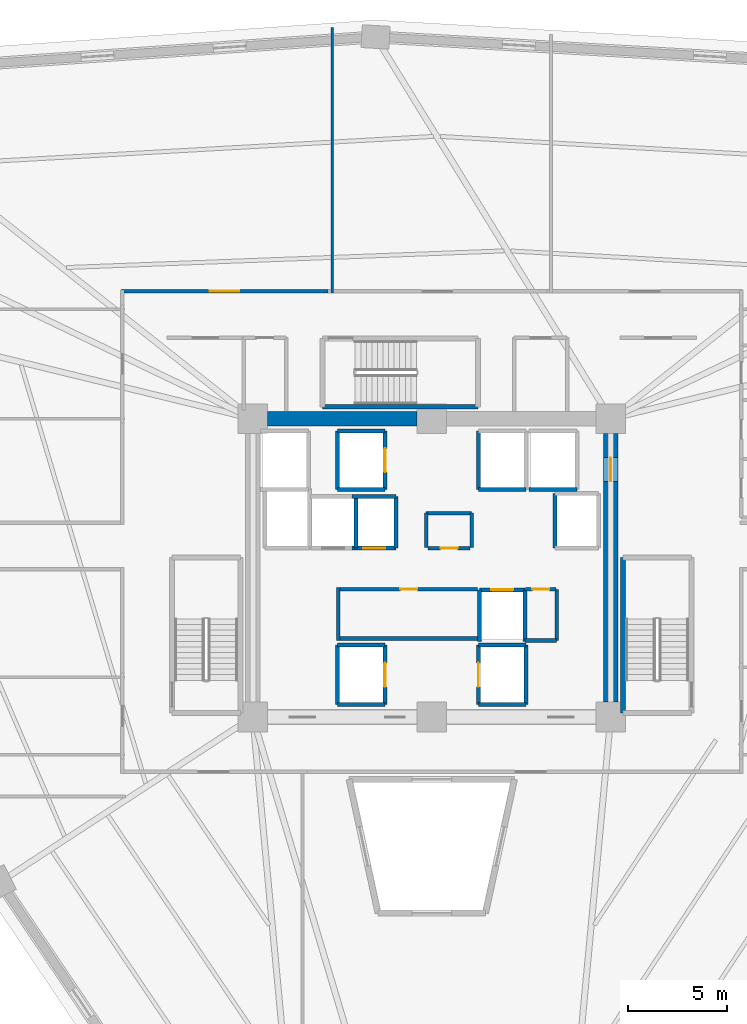
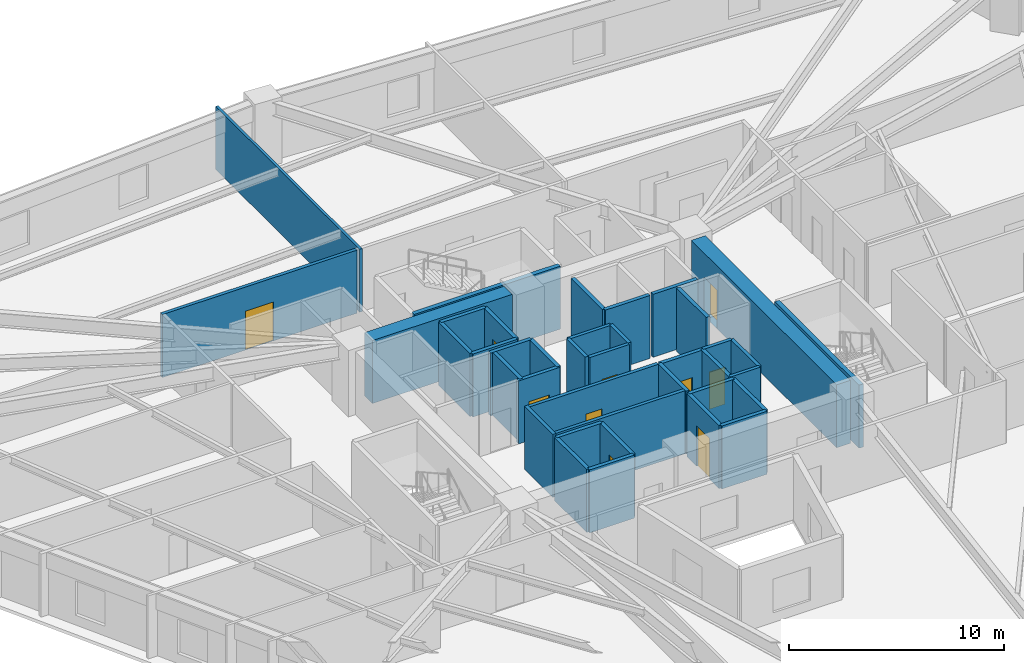
# One storey, part 5 of 8: 39 walls, 10 doors, 10 openings.
"""IFC4 building model written with IfcOpenShell, lengths in metres."""

from ifc_helpers import new_model, si_unit, direction, frame, frame_2d, origin, place, context, subcontext, project, spatial, rectangle, extrude, source, transform, mapped, material, layer, layer_set, type_object, element, fill, save


model = new_model("IFC4")

# Units and contexts
model_context = context("Model", 3, precision=1e-05, world=origin(), true_north=direction((0.0, 1.0)))
body_context = subcontext(model_context, "Body", "Model", "MODEL_VIEW")
ifc_project = project(units=[si_unit("LENGTHUNIT", "METRE"), si_unit("AREAUNIT", "SQUARE_METRE"), si_unit("VOLUMEUNIT", "CUBIC_METRE"), si_unit("PLANEANGLEUNIT", "RADIAN"), si_unit("MASSUNIT", "GRAM", prefix="KILO")], contexts=[model_context])

# Site, building, storey
site_placement = place(None, origin())
site = spatial("IfcSite", under=ifc_project, at=site_placement, CompositionType="ELEMENT")
building_placement = place(site_placement, origin())
building = spatial("IfcBuilding", under=site, at=building_placement, Name="Liaohun Quay Tower", CompositionType="ELEMENT")
storey_placement = place(building_placement, frame((0.0, 0.0, 105.75)))
storey = spatial("IfcBuildingStorey", under=building, at=storey_placement, Name="L27", CompositionType="ELEMENT", Elevation=105.75)

# Wall
ifc_material_1 = material(Name="Concrete C60", Category="concrete")
ifc_layer_1 = layer(ifc_material_1, 0.75, Name="Concrete C60", Category="concrete")
ifc_layer_set_1 = layer_set([ifc_layer_1], Name="Concrete C60")
wall_type_1 = type_object("IfcWallType", Name="WAL-COR-Z2", PredefinedType="SHEAR", material=ifc_layer_set_1)
wall_1_placement = place(storey_placement, frame((51.75, 61.5, 0.0), z_axis=(0.0, 0.0, 1.0), x_axis=(1.0, 0.0, 0.0)))
element("IfcWall", 1, at=wall_1_placement, inside=storey, type_object=wall_type_1, Name="L27 Central Core Shear Wall N-W", PredefinedType="SHEAR", context=body_context, shape_type="SweptSolid", body=[
    extrude(rectangle(XDim=7.5, YDim=0.75, at=frame_2d((3.75, 0.0))), origin(), (0.0, 0.0, 1.0), 3.570068359375),
])

# Wall, opening, door
wall_2_placement = place(storey_placement, frame((69.0, 60.75, 0.0), z_axis=(0.0, 0.0, 1.0), x_axis=(0.0, -1.0, 0.0)))
wall_2 = element("IfcWall", 2, at=wall_2_placement, inside=storey, type_object=wall_type_1, Name="L27 Central Core Shear Wall E", PredefinedType="SHEAR", context=body_context, shape_type="SweptSolid", body=[
    extrude(rectangle(XDim=13.5, YDim=0.75, at=frame_2d((6.75, 0.0))), origin(), (0.0, 0.0, 1.0), 3.570068359375),
])
shared_shape_1 = source(origin(), body_context, "Body", "SweptSolid", [
    extrude(rectangle(XDim=1.199951171875, YDim=2.199951171875, at=frame_2d((0.60009765625, 1.10009765625))), frame((0.0, 0.385009765625, 0.0), z_axis=(0.0, -1.0, 0.0), x_axis=(1.0, 0.0, 0.0)), (0.0, 0.0, 1.0), 0.77001953125),
])
opening_1_placement = place(wall_2_placement, frame((1.199951171875, 0.0, 0.0)))
opening_1 = element("IfcOpeningElement", 3, at=opening_1_placement, cuts=wall_2, Name="Opening SD1", PredefinedType="OPENING", context=body_context, shape_type="MappedRepresentation", body=[
    mapped(shared_shape_1, transform((0.0, 0.0, 0.0), x_axis=(1.0, 0.0, 0.0), y_axis=(0.0, 1.0, 0.0), z_axis=(0.0, 0.0, 1.0), scale=1.0)),
])
ifc_material_2 = material(Name="Galvanised steel fire door", Category="steel")
door_type_1 = type_object("IfcDoorType", Name="DOR-STR-1200", OperationType="NOTDEFINED", PredefinedType="DOOR", material=ifc_material_2)
shared_shape_2 = source(origin(), body_context, "Body", "SweptSolid", [
    extrude(rectangle(XDim=1.199951171875, YDim=2.199951171875, at=frame_2d((0.60009765625, 1.10009765625))), frame((0.0, 0.02490234375, 0.0), z_axis=(0.0, -1.0, 0.0), x_axis=(1.0, 0.0, 0.0)), (0.0, 0.0, 1.0), 0.050048828125),
])
door_1_placement = place(opening_1_placement, origin())
door_1 = element("IfcDoor", 4, at=door_1_placement, inside=storey, type_object=door_type_1, Name="L27 North-East Core Lobby Smokeproof Door", OperationType="SINGLE_SWING_LEFT", OverallHeight=2.199951171875, OverallWidth=1.199951171875, PredefinedType="DOOR", context=body_context, shape_type="MappedRepresentation", body=[
    mapped(shared_shape_2, transform((0.0, 0.0, 0.0), x_axis=(1.0, 0.0, 0.0), y_axis=(0.0, 1.0, 0.0), z_axis=(0.0, 0.0, 1.0), scale=1.0)),
])
fill(opening_1, door_1)

ifc_material_3 = material(Name="Autoclaved aerated concrete blockwork", Category="masonry")
ifc_layer_2 = layer(ifc_material_3, 0.179931640625, Name="Autoclaved aerated concrete blockwork", Category="masonry")
ifc_layer_set_2 = layer_set([ifc_layer_2], Name="Autoclaved aerated concrete blockwork")
wall_type_2 = type_object("IfcWallType", Name="WAL-PRT-COR", PredefinedType="PARTITIONING", material=ifc_layer_set_2)
wall_3_placement = place(storey_placement, frame((55.389892578125, 52.919921875, 0.0), z_axis=(0.0, 0.0, 1.0), x_axis=(1.0, 0.0, 0.0)))
wall_3 = element("IfcWall", 5, at=wall_3_placement, inside=storey, type_object=wall_type_2, Name="L27 Interior Partition Wall 001", PredefinedType="PARTITIONING", context=body_context, shape_type="SweptSolid", body=[
    extrude(rectangle(XDim=6.91015625, YDim=0.179931640625, at=frame_2d((3.455078125, 0.0))), origin(), (0.0, 0.0, 1.0), 3.570068359375),
])
shared_shape_3 = source(origin(), body_context, "Body", "SweptSolid", [
    extrude(rectangle(XDim=0.85009765625, YDim=2.10009765625, at=frame_2d((0.425048828125, 1.050048828125))), frame((0.0, 0.099853515625, 0.0), z_axis=(0.0, -1.0, 0.0), x_axis=(1.0, 0.0, 0.0)), (0.0, 0.0, 1.0), 0.199951171875),
])
opening_2_placement = place(wall_3_placement, frame((3.034912109375, 0.0, 0.0)))
opening_2 = element("IfcOpeningElement", 6, at=opening_2_placement, cuts=wall_3, Name="Opening AD1", PredefinedType="OPENING", context=body_context, shape_type="MappedRepresentation", body=[
    mapped(shared_shape_3, transform((0.0, 0.0, 0.0), x_axis=(1.0, 0.0, 0.0), y_axis=(0.0, 1.0, 0.0), z_axis=(0.0, 0.0, 1.0), scale=1.0)),
])
ifc_material_4 = material(Name="Steel riser inspection fire door", Category="steel")
door_type_2 = type_object("IfcDoorType", Name="DOR-SHF-850", OperationType="NOTDEFINED", PredefinedType="DOOR", material=ifc_material_4)
shared_shape_4 = source(origin(), body_context, "Body", "SweptSolid", [
    extrude(rectangle(XDim=0.85009765625, YDim=2.10009765625, at=frame_2d((0.425048828125, 1.050048828125))), frame((0.0, 0.02490234375, 0.0), z_axis=(0.0, -1.0, 0.0), x_axis=(1.0, 0.0, 0.0)), (0.0, 0.0, 1.0), 0.050048828125),
])
door_2_placement = place(opening_2_placement, origin())
door_2 = element("IfcDoor", 7, at=door_2_placement, inside=storey, type_object=door_type_2, Name="L27 Core Tenant Storage and Archive Room Door", OperationType="SINGLE_SWING_RIGHT", OverallHeight=2.10009765625, OverallWidth=0.85009765625, PredefinedType="DOOR", context=body_context, shape_type="MappedRepresentation", body=[
    mapped(shared_shape_4, transform((0.0, 0.0, 0.0), x_axis=(1.0, 0.0, 0.0), y_axis=(0.0, 1.0, 0.0), z_axis=(0.0, 0.0, 1.0), scale=1.0)),
])
fill(opening_2, door_2)

wall_4_placement = place(storey_placement, frame((59.81005859375, 54.97998046875, 0.0), z_axis=(0.0, 0.0, 1.0), x_axis=(1.0, 0.0, 0.0)))
wall_4 = element("IfcWall", 8, at=wall_4_placement, inside=storey, type_object=wall_type_2, Name="L27 Interior Partition Wall 002", PredefinedType="PARTITIONING", context=body_context, shape_type="SweptSolid", body=[
    extrude(rectangle(XDim=2.10986328125, YDim=0.179931640625, at=frame_2d((1.054931640625, 0.0))), origin(), (0.0, 0.0, 1.0), 3.570068359375),
])
opening_3_placement = place(wall_4_placement, frame((0.635009765625, 0.0, 0.0)))
opening_3 = element("IfcOpeningElement", 9, at=opening_3_placement, cuts=wall_4, Name="Opening AD1", PredefinedType="OPENING", context=body_context, shape_type="MappedRepresentation", body=[
    mapped(shared_shape_3, transform((0.0, 0.0, 0.0), x_axis=(1.0, 0.0, 0.0), y_axis=(0.0, 1.0, 0.0), z_axis=(0.0, 0.0, 1.0), scale=1.0)),
])
door_3_placement = place(opening_3_placement, origin())
door_3 = element("IfcDoor", 10, at=door_3_placement, inside=storey, type_object=door_type_2, Name="L27 Electrical Meter Room Door", OperationType="SINGLE_SWING_LEFT", OverallHeight=2.10009765625, OverallWidth=0.85009765625, PredefinedType="DOOR", context=body_context, shape_type="MappedRepresentation", body=[
    mapped(shared_shape_4, transform((0.0, 0.0, 0.0), x_axis=(1.0, 0.0, 0.0), y_axis=(0.0, 1.0, 0.0), z_axis=(0.0, 0.0, 1.0), scale=1.0)),
])
fill(opening_3, door_3)

wall_5_placement = place(storey_placement, frame((64.719970703125, 52.919921875, 0.0), z_axis=(0.0, 0.0, 1.0), x_axis=(1.0, 0.0, 0.0)))
wall_5 = element("IfcWall", 11, at=wall_5_placement, inside=storey, type_object=wall_type_2, Name="L27 Interior Partition Wall 003", PredefinedType="PARTITIONING", context=body_context, shape_type="SweptSolid", body=[
    extrude(rectangle(XDim=1.530029296875, YDim=0.179931640625, at=frame_2d((0.76513671875, 0.0))), origin(), (0.0, 0.0, 1.0), 3.570068359375),
])
opening_4_placement = place(wall_5_placement, frame((0.340087890625, 0.0, 0.0)))
opening_4 = element("IfcOpeningElement", 12, at=opening_4_placement, cuts=wall_5, Name="Opening AD1", PredefinedType="OPENING", context=body_context, shape_type="MappedRepresentation", body=[
    mapped(shared_shape_3, transform((0.0, 0.0, 0.0), x_axis=(1.0, 0.0, 0.0), y_axis=(0.0, 1.0, 0.0), z_axis=(0.0, 0.0, 1.0), scale=1.0)),
])
door_4_placement = place(opening_4_placement, origin())
door_4 = element("IfcDoor", 13, at=door_4_placement, inside=storey, type_object=door_type_2, Name="L27 BMS Data Riser Room Door", OperationType="SINGLE_SWING_RIGHT", OverallHeight=2.10009765625, OverallWidth=0.85009765625, PredefinedType="DOOR", context=body_context, shape_type="MappedRepresentation", body=[
    mapped(shared_shape_4, transform((0.0, 0.0, 0.0), x_axis=(1.0, 0.0, 0.0), y_axis=(0.0, 1.0, 0.0), z_axis=(0.0, 0.0, 1.0), scale=1.0)),
])
fill(opening_4, door_4)

wall_6_placement = place(storey_placement, frame((44.3701171875, 67.909912109375, 0.0), z_axis=(0.0, 0.0, 1.0), x_axis=(1.0, 0.0, 0.0)))
wall_6 = element("IfcWall", 14, at=wall_6_placement, inside=storey, type_object=wall_type_2, Name="L27 Interior Partition Wall 014", PredefinedType="PARTITIONING", context=body_context, shape_type="SweptSolid", body=[
    extrude(rectangle(XDim=10.414794921875, YDim=0.179931640625, at=frame_2d((5.20751953125, 0.0))), origin(), (0.0, 0.0, 1.0), 3.570068359375),
])
shared_shape_5 = source(origin(), body_context, "Body", "SweptSolid", [
    extrude(rectangle(XDim=1.5, YDim=2.199951171875, at=frame_2d((0.75, 1.10009765625))), frame((0.0, 0.099853515625, 0.0), z_axis=(0.0, -1.0, 0.0), x_axis=(1.0, 0.0, 0.0)), (0.0, 0.0, 1.0), 0.199951171875),
])
opening_5_placement = place(wall_6_placement, frame((4.45703125, 0.0, 0.0)))
opening_5 = element("IfcOpeningElement", 15, at=opening_5_placement, cuts=wall_6, Name="Opening OD2", PredefinedType="OPENING", context=body_context, shape_type="MappedRepresentation", body=[
    mapped(shared_shape_5, transform((0.0, 0.0, 0.0), x_axis=(1.0, 0.0, 0.0), y_axis=(0.0, 1.0, 0.0), z_axis=(0.0, 0.0, 1.0), scale=1.0)),
])
ifc_material_5 = material(Name="Acoustic oak veneer double door")
door_type_3 = type_object("IfcDoorType", Name="DOR-OFF-1500", OperationType="DOUBLE_DOOR_SINGLE_SWING", PredefinedType="DOOR", material=ifc_material_5)
shared_shape_6 = source(origin(), body_context, "Body", "SweptSolid", [
    extrude(rectangle(XDim=1.5, YDim=2.199951171875, at=frame_2d((0.75, 1.10009765625))), frame((0.0, 0.02490234375, 0.0), z_axis=(0.0, -1.0, 0.0), x_axis=(1.0, 0.0, 0.0)), (0.0, 0.0, 1.0), 0.050048828125),
])
door_5_placement = place(opening_5_placement, origin())
door_5 = element("IfcDoor", 16, at=door_5_placement, inside=storey, type_object=door_type_3, Name="L27 Project Collaboration Studio 04 Door", OperationType="DOUBLE_DOOR_SINGLE_SWING", OverallHeight=2.199951171875, OverallWidth=1.5, PredefinedType="DOOR", context=body_context, shape_type="MappedRepresentation", body=[
    mapped(shared_shape_6, transform((0.0, 0.0, 0.0), x_axis=(1.0, 0.0, 0.0), y_axis=(0.0, 1.0, 0.0), z_axis=(0.0, 0.0, 1.0), scale=1.0)),
])
fill(opening_5, door_5)

# Walls
for number, where, z_axis, x_axis, name in (
    (17, (59.719970703125, 55.02001953125, 0.0), (0.0, 0.0, 1.0), (0.0, 1.0, 0.0), "L27 Interior Partition Wall 023"),
    (18, (62.010009765625, 55.02001953125, 0.0), (0.0, 0.0, 1.0), (0.0, 1.0, 0.0), "L27 Interior Partition Wall 024"),
):
    element("IfcWall", number, at=place(storey_placement, frame(where, z_axis=z_axis, x_axis=x_axis)), inside=storey, type_object=wall_type_2, Name=name, PredefinedType="PARTITIONING", context=body_context, shape_type="SweptSolid", body=[
        extrude(rectangle(XDim=1.72998046875, YDim=0.179931640625, at=frame_2d((0.864990234375, 0.0))), origin(), (0.0, 0.0, 1.0), 3.570068359375),
    ])
wall_7_placement = place(storey_placement, frame((59.719970703125, 56.75, 0.0), z_axis=(0.0, 0.0, 1.0), x_axis=(1.0, 0.0, 0.0)))
element("IfcWall", 19, at=wall_7_placement, inside=storey, type_object=wall_type_2, Name="L27 Interior Partition Wall 025", PredefinedType="PARTITIONING", context=body_context, shape_type="SweptSolid", body=[
    extrude(rectangle(XDim=2.2900390625, YDim=0.179931640625, at=frame_2d((1.14501953125, 0.0))), origin(), (0.0, 0.0, 1.0), 3.570068359375),
])
wall_8_placement = place(storey_placement, frame((64.68994140625, 50.35009765625, 0.0), z_axis=(0.0, 0.0, 1.0), x_axis=(1.0, 0.0, 0.0)))
element("IfcWall", 20, at=wall_8_placement, inside=storey, type_object=wall_type_2, Name="L27 Interior Partition Wall 026", PredefinedType="PARTITIONING", context=body_context, shape_type="SweptSolid", body=[
    extrude(rectangle(XDim=1.590087890625, YDim=0.179931640625, at=frame_2d((0.794921875, 0.0))), origin(), (0.0, 0.0, 1.0), 3.570068359375),
])
wall_9_placement = place(storey_placement, frame((66.280029296875, 50.35009765625, 0.0), z_axis=(0.0, 0.0, 1.0), x_axis=(0.0, 1.0, 0.0)))
element("IfcWall", 21, at=wall_9_placement, inside=storey, type_object=wall_type_2, Name="L27 Interior Partition Wall 027", PredefinedType="PARTITIONING", context=body_context, shape_type="SweptSolid", body=[
    extrude(rectangle(XDim=2.56982421875, YDim=0.179931640625, at=frame_2d((1.284912109375, 0.0))), origin(), (0.0, 0.0, 1.0), 3.570068359375),
])
wall_10_placement = place(storey_placement, frame((55.300048828125, 50.360107421875, 0.0), z_axis=(0.0, 0.0, 1.0), x_axis=(0.0, 1.0, 0.0)))
element("IfcWall", 22, at=wall_10_placement, inside=storey, type_object=wall_type_2, Name="L27 Interior Partition Wall 056", PredefinedType="PARTITIONING", context=body_context, shape_type="SweptSolid", body=[
    extrude(rectangle(XDim=2.64990234375, YDim=0.179931640625, at=frame_2d((1.324951171875, 0.0))), origin(), (0.0, 0.0, 1.0), 3.570068359375),
])
wall_11_placement = place(storey_placement, frame((55.389892578125, 50.449951171875, 0.0), z_axis=(0.0, 0.0, 1.0), x_axis=(1.0, 0.0, 0.0)))
element("IfcWall", 23, at=wall_11_placement, inside=storey, type_object=wall_type_2, Name="L27 Interior Partition Wall 057", PredefinedType="PARTITIONING", context=body_context, shape_type="SweptSolid", body=[
    extrude(rectangle(XDim=6.91015625, YDim=0.179931640625, at=frame_2d((3.455078125, 0.0))), origin(), (0.0, 0.0, 1.0), 3.570068359375),
])
ifc_material_6 = material(Name="Gypsum board on twin steel studs", Category="steel")
ifc_layer_3 = layer(ifc_material_6, 0.139892578125, Name="Gypsum board on twin steel studs", Category="steel")
ifc_layer_set_3 = layer_set([ifc_layer_3], Name="Gypsum board on twin steel studs")
wall_type_3 = type_object("IfcWallType", Name="WAL-PRT-OFF", PredefinedType="PARTITIONING", material=ifc_layer_set_3)
wall_12_placement = place(storey_placement, frame((55.0, 67.81005859375, 0.0), z_axis=(0.0, 0.0, 1.0), x_axis=(0.0, 1.0, 0.0)))
element("IfcWall", 24, at=wall_12_placement, inside=storey, type_object=wall_type_3, Name="L27 Interior Partition Wall 053", PredefinedType="PARTITIONING", context=body_context, shape_type="SweptSolid", body=[
    extrude(rectangle(XDim=13.367919921875, YDim=0.139892578125, at=frame_2d((6.68408203125, 0.0))), origin(), (0.0, 0.0, 1.0), 3.570068359375),
])
ifc_material_7 = material(Name="Concrete C50", Category="concrete")
ifc_layer_4 = layer(ifc_material_7, 0.239990234375, Name="Concrete C50", Category="concrete")
ifc_layer_set_4 = layer_set([ifc_layer_4], Name="Concrete C50")
wall_type_4 = type_object("IfcWallType", Name="WAL-SHF-200", PredefinedType="SOLIDWALL", material=ifc_layer_set_4)
for number, where, z_axis, x_axis, name in (
    (25, (69.6201171875, 54.52001953125, 0.0), (0.0, 0.0, 1.0), (0.0, -1.0, 0.0), "L27 Stairwell ST-2 Structural Core Wall W"),
    (26, (54.5, 62.10009765625, 0.0), (0.0, 0.0, 1.0), (1.0, 0.0, 0.0), "L27 Stairwell ST-3 Structural Core Wall S"),
):
    element("IfcWall", number, at=place(storey_placement, frame(where, z_axis=z_axis, x_axis=x_axis)), inside=storey, type_object=wall_type_4, Name=name, PredefinedType="SOLIDWALL", context=body_context, shape_type="SweptSolid", body=[
        extrude(rectangle(XDim=7.820068359375, YDim=0.239990234375, at=frame_2d((3.91015625, 0.0))), origin(), (0.0, 0.0, 1.0), 3.570068359375),
    ])
wall_13_placement = place(storey_placement, frame((55.25, 47.1201171875, 0.0), z_axis=(0.0, 0.0, 1.0), x_axis=(1.0, 0.0, 0.0)))
element("IfcWall", 27, at=wall_13_placement, inside=storey, type_object=wall_type_4, Name="L27 Lift FF-01 Hoistway Wall S", PredefinedType="SOLIDWALL", context=body_context, shape_type="SweptSolid", body=[
    extrude(rectangle(XDim=2.39990234375, YDim=0.199951171875, at=frame_2d((1.199951171875, 0.0))), origin(), (0.0, 0.0, 1.0), 3.570068359375),
])

# Wall, opening, door
wall_14_placement = place(storey_placement, frame((57.64990234375, 47.1201171875, 0.0), z_axis=(0.0, 0.0, 1.0), x_axis=(0.0, 1.0, 0.0)))
wall_14 = element("IfcWall", 28, at=wall_14_placement, inside=storey, type_object=wall_type_4, Name="L27 Lift FF-01 Hoistway Wall E", PredefinedType="SOLIDWALL", context=body_context, shape_type="SweptSolid", body=[
    extrude(rectangle(XDim=3.0, YDim=0.199951171875, at=frame_2d((1.5, 0.0))), origin(), (0.0, 0.0, 1.0), 3.570068359375),
])
shared_shape_7 = source(origin(), body_context, "Body", "SweptSolid", [
    extrude(rectangle(XDim=1.199951171875, YDim=2.300048828125, at=frame_2d((0.60009765625, 1.14990234375))), frame((0.0, 0.10986328125, 0.0), z_axis=(0.0, -1.0, 0.0), x_axis=(1.0, 0.0, 0.0)), (0.0, 0.0, 1.0), 0.219970703125),
])
opening_6_placement = place(wall_14_placement, frame((0.89990234375, 0.0, 0.0)))
opening_6 = element("IfcOpeningElement", 29, at=opening_6_placement, cuts=wall_14, Name="Opening LD2", PredefinedType="OPENING", context=body_context, shape_type="MappedRepresentation", body=[
    mapped(shared_shape_7, transform((0.0, 0.0, 0.0), x_axis=(1.0, 0.0, 0.0), y_axis=(0.0, 1.0, 0.0), z_axis=(0.0, 0.0, 1.0), scale=1.0)),
])
ifc_material_8 = material(Name="Brushed stainless steel stretcher landing door", Category="steel")
door_type_4 = type_object("IfcDoorType", Name="DOR-LFT-1200", OperationType="SLIDING_TO_LEFT", PredefinedType="DOOR", material=ifc_material_8)
shared_shape_8 = source(origin(), body_context, "Body", "SweptSolid", [
    extrude(rectangle(XDim=1.199951171875, YDim=2.300048828125, at=frame_2d((0.60009765625, 1.14990234375))), frame((0.0, 0.02490234375, 0.0), z_axis=(0.0, -1.0, 0.0), x_axis=(1.0, 0.0, 0.0)), (0.0, 0.0, 1.0), 0.050048828125),
])
door_6_placement = place(opening_6_placement, origin())
door_6 = element("IfcDoor", 30, at=door_6_placement, inside=storey, type_object=door_type_4, Name="L27 Lift FF-01 Sliding Landing Door", OperationType="SLIDING_TO_LEFT", OverallHeight=2.300048828125, OverallWidth=1.199951171875, PredefinedType="DOOR", context=body_context, shape_type="MappedRepresentation", body=[
    mapped(shared_shape_8, transform((0.0, 0.0, 0.0), x_axis=(1.0, 0.0, 0.0), y_axis=(0.0, 1.0, 0.0), z_axis=(0.0, 0.0, 1.0), scale=1.0)),
])
fill(opening_6, door_6)

# Walls
wall_15_placement = place(storey_placement, frame((57.64990234375, 50.1201171875, 0.0), z_axis=(0.0, 0.0, 1.0), x_axis=(-1.0, 0.0, 0.0)))
element("IfcWall", 31, at=wall_15_placement, inside=storey, type_object=wall_type_4, Name="L27 Lift FF-01 Hoistway Wall N", PredefinedType="SOLIDWALL", context=body_context, shape_type="SweptSolid", body=[
    extrude(rectangle(XDim=2.39990234375, YDim=0.199951171875, at=frame_2d((1.199951171875, 0.0))), origin(), (0.0, 0.0, 1.0), 3.570068359375),
])
wall_16_placement = place(storey_placement, frame((55.25, 50.1201171875, 0.0), z_axis=(0.0, 0.0, 1.0), x_axis=(0.0, -1.0, 0.0)))
element("IfcWall", 32, at=wall_16_placement, inside=storey, type_object=wall_type_4, Name="L27 Lift FF-01 Hoistway Wall W", PredefinedType="SOLIDWALL", context=body_context, shape_type="SweptSolid", body=[
    extrude(rectangle(XDim=3.0, YDim=0.199951171875, at=frame_2d((1.5, 0.0))), origin(), (0.0, 0.0, 1.0), 3.570068359375),
])
wall_17_placement = place(storey_placement, frame((62.35009765625, 47.1201171875, 0.0), z_axis=(0.0, 0.0, 1.0), x_axis=(1.0, 0.0, 0.0)))
element("IfcWall", 33, at=wall_17_placement, inside=storey, type_object=wall_type_4, Name="L27 Lift FF-02 Hoistway Wall S", PredefinedType="SOLIDWALL", context=body_context, shape_type="SweptSolid", body=[
    extrude(rectangle(XDim=2.39990234375, YDim=0.199951171875, at=frame_2d((1.199951171875, 0.0))), origin(), (0.0, 0.0, 1.0), 3.570068359375),
])
wall_18_placement = place(storey_placement, frame((64.75, 47.1201171875, 0.0), z_axis=(0.0, 0.0, 1.0), x_axis=(0.0, 1.0, 0.0)))
element("IfcWall", 34, at=wall_18_placement, inside=storey, type_object=wall_type_4, Name="L27 Lift FF-02 Hoistway Wall E", PredefinedType="SOLIDWALL", context=body_context, shape_type="SweptSolid", body=[
    extrude(rectangle(XDim=3.0, YDim=0.199951171875, at=frame_2d((1.5, 0.0))), origin(), (0.0, 0.0, 1.0), 3.570068359375),
])
wall_19_placement = place(storey_placement, frame((64.75, 50.1201171875, 0.0), z_axis=(0.0, 0.0, 1.0), x_axis=(-1.0, 0.0, 0.0)))
element("IfcWall", 35, at=wall_19_placement, inside=storey, type_object=wall_type_4, Name="L27 Lift FF-02 Hoistway Wall N", PredefinedType="SOLIDWALL", context=body_context, shape_type="SweptSolid", body=[
    extrude(rectangle(XDim=2.39990234375, YDim=0.199951171875, at=frame_2d((1.199951171875, 0.0))), origin(), (0.0, 0.0, 1.0), 3.570068359375),
])

# Wall, opening, door
wall_20_placement = place(storey_placement, frame((62.35009765625, 50.1201171875, 0.0), z_axis=(0.0, 0.0, 1.0), x_axis=(0.0, -1.0, 0.0)))
wall_20 = element("IfcWall", 36, at=wall_20_placement, inside=storey, type_object=wall_type_4, Name="L27 Lift FF-02 Hoistway Wall W", PredefinedType="SOLIDWALL", context=body_context, shape_type="SweptSolid", body=[
    extrude(rectangle(XDim=3.0, YDim=0.199951171875, at=frame_2d((1.5, 0.0))), origin(), (0.0, 0.0, 1.0), 3.570068359375),
])
opening_7_placement = place(wall_20_placement, frame((0.89990234375, 0.0, 0.0)))
opening_7 = element("IfcOpeningElement", 37, at=opening_7_placement, cuts=wall_20, Name="Opening LD2", PredefinedType="OPENING", context=body_context, shape_type="MappedRepresentation", body=[
    mapped(shared_shape_7, transform((0.0, 0.0, 0.0), x_axis=(1.0, 0.0, 0.0), y_axis=(0.0, 1.0, 0.0), z_axis=(0.0, 0.0, 1.0), scale=1.0)),
])
door_7_placement = place(opening_7_placement, origin())
door_7 = element("IfcDoor", 38, at=door_7_placement, inside=storey, type_object=door_type_4, Name="L27 Lift FF-02 Sliding Landing Door", OperationType="SLIDING_TO_LEFT", OverallHeight=2.300048828125, OverallWidth=1.199951171875, PredefinedType="DOOR", context=body_context, shape_type="MappedRepresentation", body=[
    mapped(shared_shape_8, transform((0.0, 0.0, 0.0), x_axis=(1.0, 0.0, 0.0), y_axis=(0.0, 1.0, 0.0), z_axis=(0.0, 0.0, 1.0), scale=1.0)),
])
fill(opening_7, door_7)

# Wall
wall_21_placement = place(storey_placement, frame((55.25, 57.949951171875, 0.0), z_axis=(0.0, 0.0, 1.0), x_axis=(1.0, 0.0, 0.0)))
element("IfcWall", 39, at=wall_21_placement, inside=storey, type_object=wall_type_4, Name="L27 Lift FF-03 Hoistway Wall S", PredefinedType="SOLIDWALL", context=body_context, shape_type="SweptSolid", body=[
    extrude(rectangle(XDim=2.39990234375, YDim=0.199951171875, at=frame_2d((1.199951171875, 0.0))), origin(), (0.0, 0.0, 1.0), 3.570068359375),
])

# Wall, opening, door
wall_22_placement = place(storey_placement, frame((57.64990234375, 57.949951171875, 0.0), z_axis=(0.0, 0.0, 1.0), x_axis=(0.0, 1.0, 0.0)))
wall_22 = element("IfcWall", 40, at=wall_22_placement, inside=storey, type_object=wall_type_4, Name="L27 Lift FF-03 Hoistway Wall E", PredefinedType="SOLIDWALL", context=body_context, shape_type="SweptSolid", body=[
    extrude(rectangle(XDim=2.929931640625, YDim=0.199951171875, at=frame_2d((1.46484375, 0.0))), origin(), (0.0, 0.0, 1.0), 3.570068359375),
])
opening_8_placement = place(wall_22_placement, frame((0.864990234375, 0.0, 0.0)))
opening_8 = element("IfcOpeningElement", 41, at=opening_8_placement, cuts=wall_22, Name="Opening LD2", PredefinedType="OPENING", context=body_context, shape_type="MappedRepresentation", body=[
    mapped(shared_shape_7, transform((0.0, 0.0, 0.0), x_axis=(1.0, 0.0, 0.0), y_axis=(0.0, 1.0, 0.0), z_axis=(0.0, 0.0, 1.0), scale=1.0)),
])
door_8_placement = place(opening_8_placement, origin())
door_8 = element("IfcDoor", 42, at=door_8_placement, inside=storey, type_object=door_type_4, Name="L27 Lift FF-03 Sliding Landing Door", OperationType="SLIDING_TO_LEFT", OverallHeight=2.300048828125, OverallWidth=1.199951171875, PredefinedType="DOOR", context=body_context, shape_type="MappedRepresentation", body=[
    mapped(shared_shape_8, transform((0.0, 0.0, 0.0), x_axis=(1.0, 0.0, 0.0), y_axis=(0.0, 1.0, 0.0), z_axis=(0.0, 0.0, 1.0), scale=1.0)),
])
fill(opening_8, door_8)

# Walls
wall_23_placement = place(storey_placement, frame((57.64990234375, 60.8798828125, 0.0), z_axis=(0.0, 0.0, 1.0), x_axis=(-1.0, 0.0, 0.0)))
element("IfcWall", 43, at=wall_23_placement, inside=storey, type_object=wall_type_4, Name="L27 Lift FF-03 Hoistway Wall N", PredefinedType="SOLIDWALL", context=body_context, shape_type="SweptSolid", body=[
    extrude(rectangle(XDim=2.39990234375, YDim=0.199951171875, at=frame_2d((1.199951171875, 0.0))), origin(), (0.0, 0.0, 1.0), 3.570068359375),
])
wall_24_placement = place(storey_placement, frame((55.25, 60.8798828125, 0.0), z_axis=(0.0, 0.0, 1.0), x_axis=(0.0, -1.0, 0.0)))
element("IfcWall", 44, at=wall_24_placement, inside=storey, type_object=wall_type_4, Name="L27 Lift FF-03 Hoistway Wall W", PredefinedType="SOLIDWALL", context=body_context, shape_type="SweptSolid", body=[
    extrude(rectangle(XDim=2.929931640625, YDim=0.199951171875, at=frame_2d((1.46484375, 0.0))), origin(), (0.0, 0.0, 1.0), 3.570068359375),
])
wall_25_placement = place(storey_placement, frame((62.35009765625, 57.949951171875, 0.0), z_axis=(0.0, 0.0, 1.0), x_axis=(1.0, 0.0, 0.0)))
element("IfcWall", 45, at=wall_25_placement, inside=storey, type_object=wall_type_4, Name="L27 Lift OB-01 Hoistway Wall S", PredefinedType="SOLIDWALL", context=body_context, shape_type="SweptSolid", body=[
    extrude(rectangle(XDim=2.39990234375, YDim=0.199951171875, at=frame_2d((1.199951171875, 0.0))), origin(), (0.0, 0.0, 1.0), 3.570068359375),
])
wall_26_placement = place(storey_placement, frame((62.35009765625, 60.8798828125, 0.0), z_axis=(0.0, 0.0, 1.0), x_axis=(0.0, -1.0, 0.0)))
element("IfcWall", 46, at=wall_26_placement, inside=storey, type_object=wall_type_4, Name="L27 Lift OB-01 Hoistway Wall W", PredefinedType="SOLIDWALL", context=body_context, shape_type="SweptSolid", body=[
    extrude(rectangle(XDim=2.929931640625, YDim=0.199951171875, at=frame_2d((1.46484375, 0.0))), origin(), (0.0, 0.0, 1.0), 3.570068359375),
])
wall_27_placement = place(storey_placement, frame((64.89990234375, 57.949951171875, 0.0), z_axis=(0.0, 0.0, 1.0), x_axis=(1.0, 0.0, 0.0)))
element("IfcWall", 47, at=wall_27_placement, inside=storey, type_object=wall_type_4, Name="L27 Lift OB-02 Hoistway Wall S", PredefinedType="SOLIDWALL", context=body_context, shape_type="SweptSolid", body=[
    extrude(rectangle(XDim=2.400146484375, YDim=0.199951171875, at=frame_2d((1.2001953125, 0.0))), origin(), (0.0, 0.0, 1.0), 3.570068359375),
])
wall_28_placement = place(storey_placement, frame((66.199951171875, 57.75, 0.0), z_axis=(0.0, 0.0, 1.0), x_axis=(0.0, -1.0, 0.0)))
element("IfcWall", 48, at=wall_28_placement, inside=storey, type_object=wall_type_4, Name="L27 Lift SH-03 Hoistway Wall W", PredefinedType="SOLIDWALL", context=body_context, shape_type="SweptSolid", body=[
    extrude(rectangle(XDim=2.75, YDim=0.199951171875, at=frame_2d((1.375, 0.0))), origin(), (0.0, 0.0, 1.0), 3.570068359375),
])
wall_29_placement = place(storey_placement, frame((64.699951171875, 50.300048828125, 0.0), z_axis=(0.0, 0.0, 1.0), x_axis=(0.0, 1.0, 0.0)))
element("IfcWall", 49, at=wall_29_placement, inside=storey, type_object=wall_type_4, Name="L27 Lift PL-2A Hoistway Wall E", PredefinedType="SOLIDWALL", context=body_context, shape_type="SweptSolid", body=[
    extrude(rectangle(XDim=2.599853515625, YDim=0.199951171875, at=frame_2d((1.2998046875, 0.0))), origin(), (0.0, 0.0, 1.0), 3.570068359375),
])

# Wall, opening, door
wall_30_placement = place(storey_placement, frame((64.699951171875, 52.89990234375, 0.0), z_axis=(0.0, 0.0, 1.0), x_axis=(-1.0, 0.0, 0.0)))
wall_30 = element("IfcWall", 50, at=wall_30_placement, inside=storey, type_object=wall_type_4, Name="L27 Lift PL-2A Hoistway Wall N", PredefinedType="SOLIDWALL", context=body_context, shape_type="SweptSolid", body=[
    extrude(rectangle(XDim=2.300048828125, YDim=0.199951171875, at=frame_2d((1.14990234375, 0.0))), origin(), (0.0, 0.0, 1.0), 3.570068359375),
])
shared_shape_9 = source(origin(), body_context, "Body", "SweptSolid", [
    extrude(rectangle(XDim=1.10009765625, YDim=2.199951171875, at=frame_2d((0.550048828125, 1.10009765625))), frame((0.0, 0.10986328125, 0.0), z_axis=(0.0, -1.0, 0.0), x_axis=(1.0, 0.0, 0.0)), (0.0, 0.0, 1.0), 0.219970703125),
])
opening_9_placement = place(wall_30_placement, frame((0.60009765625, 0.0, 0.0)))
opening_9 = element("IfcOpeningElement", 51, at=opening_9_placement, cuts=wall_30, Name="Opening LD1", PredefinedType="OPENING", context=body_context, shape_type="MappedRepresentation", body=[
    mapped(shared_shape_9, transform((0.0, 0.0, 0.0), x_axis=(1.0, 0.0, 0.0), y_axis=(0.0, 1.0, 0.0), z_axis=(0.0, 0.0, 1.0), scale=1.0)),
])
ifc_material_9 = material(Name="Brushed stainless steel landing door", Category="steel")
door_type_5 = type_object("IfcDoorType", Name="DOR-LFT-1100", OperationType="SLIDING_TO_LEFT", PredefinedType="DOOR", material=ifc_material_9)
shared_shape_10 = source(origin(), body_context, "Body", "SweptSolid", [
    extrude(rectangle(XDim=1.10009765625, YDim=2.199951171875, at=frame_2d((0.550048828125, 1.10009765625))), frame((0.0, 0.02490234375, 0.0), z_axis=(0.0, -1.0, 0.0), x_axis=(1.0, 0.0, 0.0)), (0.0, 0.0, 1.0), 0.050048828125),
])
door_9_placement = place(opening_9_placement, origin())
door_9 = element("IfcDoor", 52, at=door_9_placement, inside=storey, type_object=door_type_5, Name="L27 Lift PL-2A Sliding Landing Door", OperationType="SLIDING_TO_LEFT", OverallHeight=2.199951171875, OverallWidth=1.10009765625, PredefinedType="DOOR", context=body_context, shape_type="MappedRepresentation", body=[
    mapped(shared_shape_10, transform((0.0, 0.0, 0.0), x_axis=(1.0, 0.0, 0.0), y_axis=(0.0, 1.0, 0.0), z_axis=(0.0, 0.0, 1.0), scale=1.0)),
])
fill(opening_9, door_9)

# Walls
wall_31_placement = place(storey_placement, frame((62.39990234375, 52.89990234375, 0.0), z_axis=(0.0, 0.0, 1.0), x_axis=(0.0, -1.0, 0.0)))
element("IfcWall", 53, at=wall_31_placement, inside=storey, type_object=wall_type_4, Name="L27 Lift PL-2A Hoistway Wall W", PredefinedType="SOLIDWALL", context=body_context, shape_type="SweptSolid", body=[
    extrude(rectangle(XDim=2.599853515625, YDim=0.199951171875, at=frame_2d((1.2998046875, 0.0))), origin(), (0.0, 0.0, 1.0), 3.570068359375),
])
wall_32_placement = place(storey_placement, frame((56.199951171875, 55.0, 0.0), z_axis=(0.0, 0.0, 1.0), x_axis=(0.0, 1.0, 0.0)))
element("IfcWall", 54, at=wall_32_placement, inside=storey, type_object=wall_type_4, Name="L27 Lift PL-2B Hoistway Wall E", PredefinedType="SOLIDWALL", context=body_context, shape_type="SweptSolid", body=[
    extrude(rectangle(XDim=2.60009765625, YDim=0.199951171875, at=frame_2d((1.300048828125, 0.0))), origin(), (0.0, 0.0, 1.0), 3.570068359375),
])

# Wall, opening, door
wall_33_placement = place(storey_placement, frame((56.0, 55.0, 0.0), z_axis=(0.0, 0.0, 1.0), x_axis=(1.0, 0.0, 0.0)))
wall_33 = element("IfcWall", 55, at=wall_33_placement, inside=storey, type_object=wall_type_4, Name="L27 Lift PL-2C Hoistway Wall S", PredefinedType="SOLIDWALL", context=body_context, shape_type="SweptSolid", body=[
    extrude(rectangle(XDim=2.199951171875, YDim=0.199951171875, at=frame_2d((1.10009765625, 0.0))), origin(), (0.0, 0.0, 1.0), 3.570068359375),
])
opening_10_placement = place(wall_33_placement, frame((0.550048828125, 0.0, 0.0)))
opening_10 = element("IfcOpeningElement", 56, at=opening_10_placement, cuts=wall_33, Name="Opening LD1", PredefinedType="OPENING", context=body_context, shape_type="MappedRepresentation", body=[
    mapped(shared_shape_9, transform((0.0, 0.0, 0.0), x_axis=(1.0, 0.0, 0.0), y_axis=(0.0, 1.0, 0.0), z_axis=(0.0, 0.0, 1.0), scale=1.0)),
])
door_10_placement = place(opening_10_placement, origin())
door_10 = element("IfcDoor", 57, at=door_10_placement, inside=storey, type_object=door_type_5, Name="L27 Lift PL-2C Sliding Landing Door", OperationType="SLIDING_TO_LEFT", OverallHeight=2.199951171875, OverallWidth=1.10009765625, PredefinedType="DOOR", context=body_context, shape_type="MappedRepresentation", body=[
    mapped(shared_shape_10, transform((0.0, 0.0, 0.0), x_axis=(1.0, 0.0, 0.0), y_axis=(0.0, 1.0, 0.0), z_axis=(0.0, 0.0, 1.0), scale=1.0)),
])
fill(opening_10, door_10)

# Walls
wall_34_placement = place(storey_placement, frame((58.199951171875, 55.0, 0.0), z_axis=(0.0, 0.0, 1.0), x_axis=(0.0, 1.0, 0.0)))
element("IfcWall", 58, at=wall_34_placement, inside=storey, type_object=wall_type_4, Name="L27 Lift PL-2C Hoistway Wall E", PredefinedType="SOLIDWALL", context=body_context, shape_type="SweptSolid", body=[
    extrude(rectangle(XDim=2.60009765625, YDim=0.199951171875, at=frame_2d((1.300048828125, 0.0))), origin(), (0.0, 0.0, 1.0), 3.570068359375),
])
wall_35_placement = place(storey_placement, frame((58.199951171875, 57.60009765625, 0.0), z_axis=(0.0, 0.0, 1.0), x_axis=(-1.0, 0.0, 0.0)))
element("IfcWall", 59, at=wall_35_placement, inside=storey, type_object=wall_type_4, Name="L27 Lift PL-2C Hoistway Wall N", PredefinedType="SOLIDWALL", context=body_context, shape_type="SweptSolid", body=[
    extrude(rectangle(XDim=2.199951171875, YDim=0.199951171875, at=frame_2d((1.10009765625, 0.0))), origin(), (0.0, 0.0, 1.0), 3.570068359375),
])

save(model, "model.ifc")
